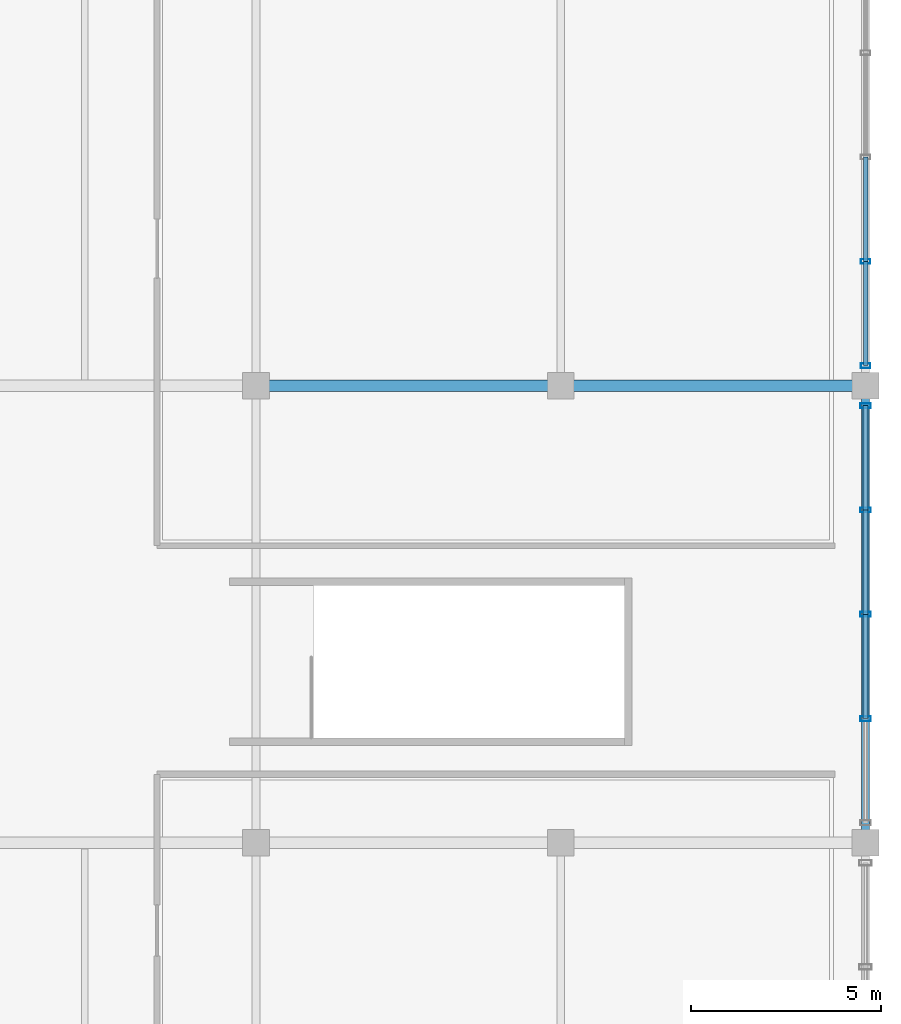
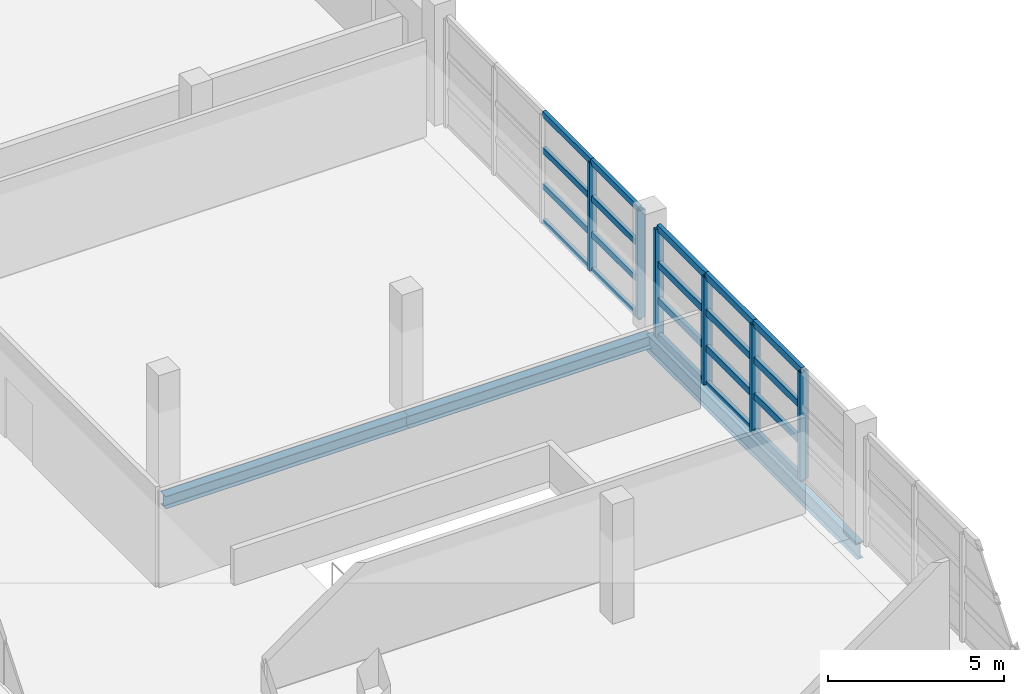
# One storey, part 75 of 136: 26 members, 3 beams, 2 elements without a shape of their own.
"""IFC4 building model written with IfcOpenShell, lengths in metres."""

from ifc_helpers import new_model, si_unit, direction, frame, origin, origin_2d, place, context, subcontext, project, spatial, hollow_rectangle, i_section, extrude, material, material_profile, profile_set, type_object, element, aggregate, save


model = new_model("IFC4")

# Units and contexts
model_context = context("Model", 3, precision=1e-05, world=origin(), true_north=direction((0.0, 1.0)))
body_context = subcontext(model_context, "Body", "Model", "MODEL_VIEW")
ifc_project = project(units=[si_unit("LENGTHUNIT", "METRE"), si_unit("AREAUNIT", "SQUARE_METRE"), si_unit("VOLUMEUNIT", "CUBIC_METRE"), si_unit("PLANEANGLEUNIT", "RADIAN"), si_unit("MASSUNIT", "GRAM", prefix="KILO")], contexts=[model_context])

# Site, building, storey
site_placement = place(None, origin())
site = spatial("IfcSite", under=ifc_project, at=site_placement, CompositionType="ELEMENT")
building_placement = place(site_placement, origin())
building = spatial("IfcBuilding", under=site, at=building_placement, Name="Chuanluo Vaults Station", CompositionType="ELEMENT")
storey_placement = place(building_placement, frame((0.0, 0.0, 6.60009765625)))
storey = spatial("IfcBuildingStorey", under=building, at=storey_placement, Name="L01", CompositionType="ELEMENT", Elevation=6.60009765625)

# Beams
ifc_material_1 = material(Name="Steel Q355C", Category="steel")
ifc_material_profile_1 = material_profile(ifc_material_1, i_section(OverallWidth=0.300048828125, OverallDepth=0.43994140625, WebThickness=0.010986328125, FlangeThickness=0.01806640625, FilletRadius=0.02001953125, at=origin_2d()))
ifc_profile_set_1 = profile_set([ifc_material_profile_1], Name="Steel Q355C")
beam_type_1 = type_object("IfcBeamType", Name="BM-GRD-450", PredefinedType="USERDEFINED", material=ifc_profile_set_1)
for number, where, z_axis, x_axis, name in (
    (1, (172.0, 42.0, -0.460205078125), (1.0, 0.0, 0.0), (0.0, 1.0, 0.0), "Floor girder BM:GX:L01:0321"),
    (2, (180.0, 42.0, -0.460205078125), (1.0, 0.0, 0.0), (0.0, 1.0, 0.0), "Floor girder BM:GX:L01:0322"),
):
    element("IfcBeam", number, at=place(storey_placement, frame(where, z_axis=z_axis, x_axis=x_axis)), inside=storey, type_object=beam_type_1, Name=name, ObjectType="GIRDER", PredefinedType="USERDEFINED", context=body_context, shape_type="SweptSolid", body=[
        extrude(i_section(OverallWidth=0.300048828125, OverallDepth=0.43994140625, WebThickness=0.010986328125, FlangeThickness=0.01806640625, FilletRadius=0.02001953125, at=origin_2d()), origin(), (0.0, 0.0, 1.0), 8.0),
    ])
ifc_material_2 = material(Name="Steel Q355C", Category="steel")
ifc_material_profile_2 = material_profile(ifc_material_2, i_section(OverallWidth=0.2099609375, OverallDepth=0.580078125, WebThickness=0.010986328125, FlangeThickness=0.01708984375, FilletRadius=0.01806640625, at=origin_2d()))
ifc_profile_set_2 = profile_set([ifc_material_profile_2], Name="Steel Q355C")
beam_type_2 = type_object("IfcBeamType", Name="BM-SPN-600", PredefinedType="SPANDREL", material=ifc_profile_set_2)
beam_placement = place(storey_placement, frame((188.0, 30.0, -0.530029296875), z_axis=(0.0, 1.0, 0.0), x_axis=(-1.0, 0.0, 0.0)))
element("IfcBeam", 3, at=beam_placement, inside=storey, type_object=beam_type_2, Name="Floor girder BM:GY:L01:0526", PredefinedType="SPANDREL", context=body_context, shape_type="SweptSolid", body=[
    extrude(i_section(OverallWidth=0.2099609375, OverallDepth=0.580078125, WebThickness=0.010986328125, FlangeThickness=0.01708984375, FilletRadius=0.01806640625, at=origin_2d()), origin(), (0.0, 0.0, 1.0), 12.0),
])

# Curtain wall, members
ifc_material_3 = material(Name="Anodised aluminium 6063-T6", Category="aluminium")
curtain_wall_type_1 = type_object("IfcCurtainWallType", Name="CW-SYS-19", PredefinedType="NOTDEFINED", material=ifc_material_3)
curtain_wall_1_placement = place(storey_placement, origin())
curtain_wall_1 = element("IfcCurtainWall", 4, at=curtain_wall_1_placement, inside=storey, type_object=curtain_wall_type_1, Name="Retail pavilion L01 facade CW", PredefinedType="NOTDEFINED")
ifc_material_4 = material(Name="Anodised aluminium 6063-T6", Category="aluminium")
ifc_material_profile_3 = material_profile(ifc_material_4, hollow_rectangle(XDim=0.1201171875, YDim=0.25, WallThickness=0.006103515625, at=origin_2d()))
ifc_profile_set_3 = profile_set([ifc_material_profile_3], Name="Anodised aluminium 6063-T6")
member_type_1 = type_object("IfcMemberType", Name="CWM-160", PredefinedType="MULLION", material=ifc_profile_set_3)
member_1_placement = place(storey_placement, frame((188.0, 45.262451171875, 0.0), z_axis=(0.0, 0.0, 1.0), x_axis=(0.0, -1.0, 0.0)))
member_1 = element("IfcMember", 5, at=member_1_placement, type_object=member_type_1, Name="Retail pavilion L01 facade CW mullion 4", PredefinedType="MULLION", context=body_context, shape_type="SweptSolid", body=[
    extrude(hollow_rectangle(XDim=0.1201171875, YDim=0.25, WallThickness=0.006103515625, at=origin_2d()), origin(), (0.0, 0.0, 1.0), 3.75),
])
member_2_placement = place(storey_placement, frame((188.0, 42.52490234375, 0.0), z_axis=(0.0, 0.0, 1.0), x_axis=(0.0, -1.0, 0.0)))
member_2 = element("IfcMember", 6, at=member_2_placement, type_object=member_type_1, Name="Retail pavilion L01 facade CW mullion 5", PredefinedType="MULLION", context=body_context, shape_type="SweptSolid", body=[
    extrude(hollow_rectangle(XDim=0.1201171875, YDim=0.25, WallThickness=0.006103515625, at=origin_2d()), origin(), (0.0, 0.0, 1.0), 3.75),
])

ifc_material_5 = material(Name="Anodised aluminium 6063-T6", Category="aluminium")
curtain_wall_type_2 = type_object("IfcCurtainWallType", Name="CW-SYS-18", PredefinedType="NOTDEFINED", material=ifc_material_5)
curtain_wall_2_placement = place(storey_placement, origin())
curtain_wall_2 = element("IfcCurtainWall", 7, at=curtain_wall_2_placement, inside=storey, type_object=curtain_wall_type_2, Name="Retail pavilion L01 facade CW", PredefinedType="NOTDEFINED")
ifc_material_6 = material(Name="Anodised aluminium 6063-T6", Category="aluminium")
ifc_material_profile_4 = material_profile(ifc_material_6, hollow_rectangle(XDim=0.1298828125, YDim=0.280029296875, WallThickness=0.007080078125, at=origin_2d()))
ifc_profile_set_4 = profile_set([ifc_material_profile_4], Name="Anodised aluminium 6063-T6")
member_type_2 = type_object("IfcMemberType", Name="CWM-180", PredefinedType="MULLION", material=ifc_profile_set_4)
member_3_placement = place(storey_placement, frame((188.0, 41.47509765625, 0.0), z_axis=(0.0, 0.0, 1.0), x_axis=(0.0, -1.0, 0.0)))
member_3 = element("IfcMember", 8, at=member_3_placement, type_object=member_type_2, Name="Retail pavilion L01 facade CW mullion 1", PredefinedType="MULLION", context=body_context, shape_type="SweptSolid", body=[
    extrude(hollow_rectangle(XDim=0.1298828125, YDim=0.280029296875, WallThickness=0.007080078125, at=origin_2d()), origin(), (0.0, 0.0, 1.0), 3.75),
])
member_4_placement = place(storey_placement, frame((188.0, 38.737548828125, 0.0), z_axis=(0.0, 0.0, 1.0), x_axis=(0.0, -1.0, 0.0)))
member_4 = element("IfcMember", 9, at=member_4_placement, type_object=member_type_2, Name="Retail pavilion L01 facade CW mullion 2", PredefinedType="MULLION", context=body_context, shape_type="SweptSolid", body=[
    extrude(hollow_rectangle(XDim=0.1298828125, YDim=0.280029296875, WallThickness=0.007080078125, at=origin_2d()), origin(), (0.0, 0.0, 1.0), 3.75),
])
member_5_placement = place(storey_placement, frame((188.0, 36.0, 0.0), z_axis=(0.0, 0.0, 1.0), x_axis=(0.0, -1.0, 0.0)))
member_5 = element("IfcMember", 10, at=member_5_placement, type_object=member_type_2, Name="Retail pavilion L01 facade CW mullion 3", PredefinedType="MULLION", context=body_context, shape_type="SweptSolid", body=[
    extrude(hollow_rectangle(XDim=0.1298828125, YDim=0.280029296875, WallThickness=0.007080078125, at=origin_2d()), origin(), (0.0, 0.0, 1.0), 3.75),
])
member_6_placement = place(storey_placement, frame((188.0, 33.262451171875, 0.0), z_axis=(0.0, 0.0, 1.0), x_axis=(0.0, -1.0, 0.0)))
member_6 = element("IfcMember", 11, at=member_6_placement, type_object=member_type_2, Name="Retail pavilion L01 facade CW mullion 4", PredefinedType="MULLION", context=body_context, shape_type="SweptSolid", body=[
    extrude(hollow_rectangle(XDim=0.1298828125, YDim=0.280029296875, WallThickness=0.007080078125, at=origin_2d()), origin(), (0.0, 0.0, 1.0), 3.75),
])

# Member
ifc_material_7 = material(Name="Anodised aluminium 6063-T6", Category="aluminium")
ifc_material_profile_5 = material_profile(ifc_material_7, hollow_rectangle(XDim=0.1201171875, YDim=0.205078125, WallThickness=0.006103515625, at=origin_2d()))
ifc_profile_set_5 = profile_set([ifc_material_profile_5], Name="Anodised aluminium 6063-T6")
member_type_3 = type_object("IfcMemberType", Name="CWT-130", PredefinedType="USERDEFINED", material=ifc_profile_set_5)
member_7_placement = place(storey_placement, frame((188.0, 48.0, 0.0), z_axis=(0.0, -1.0, 0.0), x_axis=(1.0, 0.0, 0.0)))
member_7 = element("IfcMember", 12, at=member_7_placement, type_object=member_type_3, Name="Retail pavilion L01 facade CW transom 3.1", ObjectType="TRANSOM", PredefinedType="USERDEFINED", context=body_context, shape_type="SweptSolid", body=[
    extrude(hollow_rectangle(XDim=0.1201171875, YDim=0.205078125, WallThickness=0.006103515625, at=origin_2d()), origin(), (0.0, 0.0, 1.0), 2.737548828125),
])

member_8_placement = place(storey_placement, frame((188.0, 48.0, 1.25), z_axis=(0.0, -1.0, 0.0), x_axis=(1.0, 0.0, 0.0)))
member_8 = element("IfcMember", 13, at=member_8_placement, type_object=member_type_3, Name="Retail pavilion L01 facade CW transom 3.2", ObjectType="TRANSOM", PredefinedType="USERDEFINED", context=body_context, shape_type="SweptSolid", body=[
    extrude(hollow_rectangle(XDim=0.1201171875, YDim=0.205078125, WallThickness=0.006103515625, at=origin_2d()), origin(), (0.0, 0.0, 1.0), 2.737548828125),
])

member_9_placement = place(storey_placement, frame((188.0, 48.0, 2.5), z_axis=(0.0, -1.0, 0.0), x_axis=(1.0, 0.0, 0.0)))
member_9 = element("IfcMember", 14, at=member_9_placement, type_object=member_type_3, Name="Retail pavilion L01 facade CW transom 3.3", ObjectType="TRANSOM", PredefinedType="USERDEFINED", context=body_context, shape_type="SweptSolid", body=[
    extrude(hollow_rectangle(XDim=0.1201171875, YDim=0.205078125, WallThickness=0.006103515625, at=origin_2d()), origin(), (0.0, 0.0, 1.0), 2.737548828125),
])

member_10_placement = place(storey_placement, frame((188.0, 48.0, 3.75), z_axis=(0.0, -1.0, 0.0), x_axis=(1.0, 0.0, 0.0)))
member_10 = element("IfcMember", 15, at=member_10_placement, type_object=member_type_3, Name="Retail pavilion L01 facade CW transom 3.4", ObjectType="TRANSOM", PredefinedType="USERDEFINED", context=body_context, shape_type="SweptSolid", body=[
    extrude(hollow_rectangle(XDim=0.1201171875, YDim=0.205078125, WallThickness=0.006103515625, at=origin_2d()), origin(), (0.0, 0.0, 1.0), 2.737548828125),
])

member_11_placement = place(storey_placement, frame((188.0, 45.262451171875, 0.0), z_axis=(0.0, -1.0, 0.0), x_axis=(1.0, 0.0, 0.0)))
member_11 = element("IfcMember", 16, at=member_11_placement, type_object=member_type_3, Name="Retail pavilion L01 facade CW transom 4.1", ObjectType="TRANSOM", PredefinedType="USERDEFINED", context=body_context, shape_type="SweptSolid", body=[
    extrude(hollow_rectangle(XDim=0.1201171875, YDim=0.205078125, WallThickness=0.006103515625, at=origin_2d()), origin(), (0.0, 0.0, 1.0), 2.737548828125),
])

member_12_placement = place(storey_placement, frame((188.0, 45.262451171875, 1.25), z_axis=(0.0, -1.0, 0.0), x_axis=(1.0, 0.0, 0.0)))
member_12 = element("IfcMember", 17, at=member_12_placement, type_object=member_type_3, Name="Retail pavilion L01 facade CW transom 4.2", ObjectType="TRANSOM", PredefinedType="USERDEFINED", context=body_context, shape_type="SweptSolid", body=[
    extrude(hollow_rectangle(XDim=0.1201171875, YDim=0.205078125, WallThickness=0.006103515625, at=origin_2d()), origin(), (0.0, 0.0, 1.0), 2.737548828125),
])

member_13_placement = place(storey_placement, frame((188.0, 45.262451171875, 2.5), z_axis=(0.0, -1.0, 0.0), x_axis=(1.0, 0.0, 0.0)))
member_13 = element("IfcMember", 18, at=member_13_placement, type_object=member_type_3, Name="Retail pavilion L01 facade CW transom 4.3", ObjectType="TRANSOM", PredefinedType="USERDEFINED", context=body_context, shape_type="SweptSolid", body=[
    extrude(hollow_rectangle(XDim=0.1201171875, YDim=0.205078125, WallThickness=0.006103515625, at=origin_2d()), origin(), (0.0, 0.0, 1.0), 2.737548828125),
])

member_14_placement = place(storey_placement, frame((188.0, 45.262451171875, 3.75), z_axis=(0.0, -1.0, 0.0), x_axis=(1.0, 0.0, 0.0)))
member_14 = element("IfcMember", 19, at=member_14_placement, type_object=member_type_3, Name="Retail pavilion L01 facade CW transom 4.4", ObjectType="TRANSOM", PredefinedType="USERDEFINED", context=body_context, shape_type="SweptSolid", body=[
    extrude(hollow_rectangle(XDim=0.1201171875, YDim=0.205078125, WallThickness=0.006103515625, at=origin_2d()), origin(), (0.0, 0.0, 1.0), 2.737548828125),
])

aggregate(curtain_wall_1, [member_1, member_2, member_7, member_8, member_9, member_10, member_11, member_12, member_13, member_14])

ifc_material_8 = material(Name="Anodised aluminium 6063-T6", Category="aluminium")
ifc_material_profile_6 = material_profile(ifc_material_8, hollow_rectangle(XDim=0.1298828125, YDim=0.22998046875, WallThickness=0.006103515625, at=origin_2d()))
ifc_profile_set_6 = profile_set([ifc_material_profile_6], Name="Anodised aluminium 6063-T6")
member_type_4 = type_object("IfcMemberType", Name="CWT-150", PredefinedType="USERDEFINED", material=ifc_profile_set_6)
member_15_placement = place(storey_placement, frame((188.0, 41.47509765625, 0.0), z_axis=(0.0, -1.0, 0.0), x_axis=(1.0, 0.0, 0.0)))
member_15 = element("IfcMember", 20, at=member_15_placement, type_object=member_type_4, Name="Retail pavilion L01 facade CW transom 1.1", ObjectType="TRANSOM", PredefinedType="USERDEFINED", context=body_context, shape_type="SweptSolid", body=[
    extrude(hollow_rectangle(XDim=0.1298828125, YDim=0.22998046875, WallThickness=0.006103515625, at=origin_2d()), origin(), (0.0, 0.0, 1.0), 2.737548828125),
])

member_16_placement = place(storey_placement, frame((188.0, 41.47509765625, 1.25), z_axis=(0.0, -1.0, 0.0), x_axis=(1.0, 0.0, 0.0)))
member_16 = element("IfcMember", 21, at=member_16_placement, type_object=member_type_4, Name="Retail pavilion L01 facade CW transom 1.2", ObjectType="TRANSOM", PredefinedType="USERDEFINED", context=body_context, shape_type="SweptSolid", body=[
    extrude(hollow_rectangle(XDim=0.1298828125, YDim=0.22998046875, WallThickness=0.006103515625, at=origin_2d()), origin(), (0.0, 0.0, 1.0), 2.737548828125),
])

member_17_placement = place(storey_placement, frame((188.0, 41.47509765625, 2.5), z_axis=(0.0, -1.0, 0.0), x_axis=(1.0, 0.0, 0.0)))
member_17 = element("IfcMember", 22, at=member_17_placement, type_object=member_type_4, Name="Retail pavilion L01 facade CW transom 1.3", ObjectType="TRANSOM", PredefinedType="USERDEFINED", context=body_context, shape_type="SweptSolid", body=[
    extrude(hollow_rectangle(XDim=0.1298828125, YDim=0.22998046875, WallThickness=0.006103515625, at=origin_2d()), origin(), (0.0, 0.0, 1.0), 2.737548828125),
])

member_18_placement = place(storey_placement, frame((188.0, 41.47509765625, 3.75), z_axis=(0.0, -1.0, 0.0), x_axis=(1.0, 0.0, 0.0)))
member_18 = element("IfcMember", 23, at=member_18_placement, type_object=member_type_4, Name="Retail pavilion L01 facade CW transom 1.4", ObjectType="TRANSOM", PredefinedType="USERDEFINED", context=body_context, shape_type="SweptSolid", body=[
    extrude(hollow_rectangle(XDim=0.1298828125, YDim=0.22998046875, WallThickness=0.006103515625, at=origin_2d()), origin(), (0.0, 0.0, 1.0), 2.737548828125),
])

member_19_placement = place(storey_placement, frame((188.0, 38.737548828125, 0.0), z_axis=(0.0, -1.0, 0.0), x_axis=(1.0, 0.0, 0.0)))
member_19 = element("IfcMember", 24, at=member_19_placement, type_object=member_type_4, Name="Retail pavilion L01 facade CW transom 2.1", ObjectType="TRANSOM", PredefinedType="USERDEFINED", context=body_context, shape_type="SweptSolid", body=[
    extrude(hollow_rectangle(XDim=0.1298828125, YDim=0.22998046875, WallThickness=0.006103515625, at=origin_2d()), origin(), (0.0, 0.0, 1.0), 2.737548828125),
])

member_20_placement = place(storey_placement, frame((188.0, 38.737548828125, 1.25), z_axis=(0.0, -1.0, 0.0), x_axis=(1.0, 0.0, 0.0)))
member_20 = element("IfcMember", 25, at=member_20_placement, type_object=member_type_4, Name="Retail pavilion L01 facade CW transom 2.2", ObjectType="TRANSOM", PredefinedType="USERDEFINED", context=body_context, shape_type="SweptSolid", body=[
    extrude(hollow_rectangle(XDim=0.1298828125, YDim=0.22998046875, WallThickness=0.006103515625, at=origin_2d()), origin(), (0.0, 0.0, 1.0), 2.737548828125),
])

member_21_placement = place(storey_placement, frame((188.0, 38.737548828125, 2.5), z_axis=(0.0, -1.0, 0.0), x_axis=(1.0, 0.0, 0.0)))
member_21 = element("IfcMember", 26, at=member_21_placement, type_object=member_type_4, Name="Retail pavilion L01 facade CW transom 2.3", ObjectType="TRANSOM", PredefinedType="USERDEFINED", context=body_context, shape_type="SweptSolid", body=[
    extrude(hollow_rectangle(XDim=0.1298828125, YDim=0.22998046875, WallThickness=0.006103515625, at=origin_2d()), origin(), (0.0, 0.0, 1.0), 2.737548828125),
])

member_22_placement = place(storey_placement, frame((188.0, 38.737548828125, 3.75), z_axis=(0.0, -1.0, 0.0), x_axis=(1.0, 0.0, 0.0)))
member_22 = element("IfcMember", 27, at=member_22_placement, type_object=member_type_4, Name="Retail pavilion L01 facade CW transom 2.4", ObjectType="TRANSOM", PredefinedType="USERDEFINED", context=body_context, shape_type="SweptSolid", body=[
    extrude(hollow_rectangle(XDim=0.1298828125, YDim=0.22998046875, WallThickness=0.006103515625, at=origin_2d()), origin(), (0.0, 0.0, 1.0), 2.737548828125),
])

member_23_placement = place(storey_placement, frame((188.0, 36.0, 0.0), z_axis=(0.0, -1.0, 0.0), x_axis=(1.0, 0.0, 0.0)))
member_23 = element("IfcMember", 28, at=member_23_placement, type_object=member_type_4, Name="Retail pavilion L01 facade CW transom 3.1", ObjectType="TRANSOM", PredefinedType="USERDEFINED", context=body_context, shape_type="SweptSolid", body=[
    extrude(hollow_rectangle(XDim=0.1298828125, YDim=0.22998046875, WallThickness=0.006103515625, at=origin_2d()), origin(), (0.0, 0.0, 1.0), 2.737548828125),
])

member_24_placement = place(storey_placement, frame((188.0, 36.0, 1.25), z_axis=(0.0, -1.0, 0.0), x_axis=(1.0, 0.0, 0.0)))
member_24 = element("IfcMember", 29, at=member_24_placement, type_object=member_type_4, Name="Retail pavilion L01 facade CW transom 3.2", ObjectType="TRANSOM", PredefinedType="USERDEFINED", context=body_context, shape_type="SweptSolid", body=[
    extrude(hollow_rectangle(XDim=0.1298828125, YDim=0.22998046875, WallThickness=0.006103515625, at=origin_2d()), origin(), (0.0, 0.0, 1.0), 2.737548828125),
])

member_25_placement = place(storey_placement, frame((188.0, 36.0, 2.5), z_axis=(0.0, -1.0, 0.0), x_axis=(1.0, 0.0, 0.0)))
member_25 = element("IfcMember", 30, at=member_25_placement, type_object=member_type_4, Name="Retail pavilion L01 facade CW transom 3.3", ObjectType="TRANSOM", PredefinedType="USERDEFINED", context=body_context, shape_type="SweptSolid", body=[
    extrude(hollow_rectangle(XDim=0.1298828125, YDim=0.22998046875, WallThickness=0.006103515625, at=origin_2d()), origin(), (0.0, 0.0, 1.0), 2.737548828125),
])

member_26_placement = place(storey_placement, frame((188.0, 36.0, 3.75), z_axis=(0.0, -1.0, 0.0), x_axis=(1.0, 0.0, 0.0)))
member_26 = element("IfcMember", 31, at=member_26_placement, type_object=member_type_4, Name="Retail pavilion L01 facade CW transom 3.4", ObjectType="TRANSOM", PredefinedType="USERDEFINED", context=body_context, shape_type="SweptSolid", body=[
    extrude(hollow_rectangle(XDim=0.1298828125, YDim=0.22998046875, WallThickness=0.006103515625, at=origin_2d()), origin(), (0.0, 0.0, 1.0), 2.737548828125),
])

aggregate(curtain_wall_2, [member_3, member_4, member_5, member_6, member_15, member_16, member_17, member_18, member_19, member_20, member_21, member_22, member_23, member_24, member_25, member_26])

save(model, "model.ifc")
